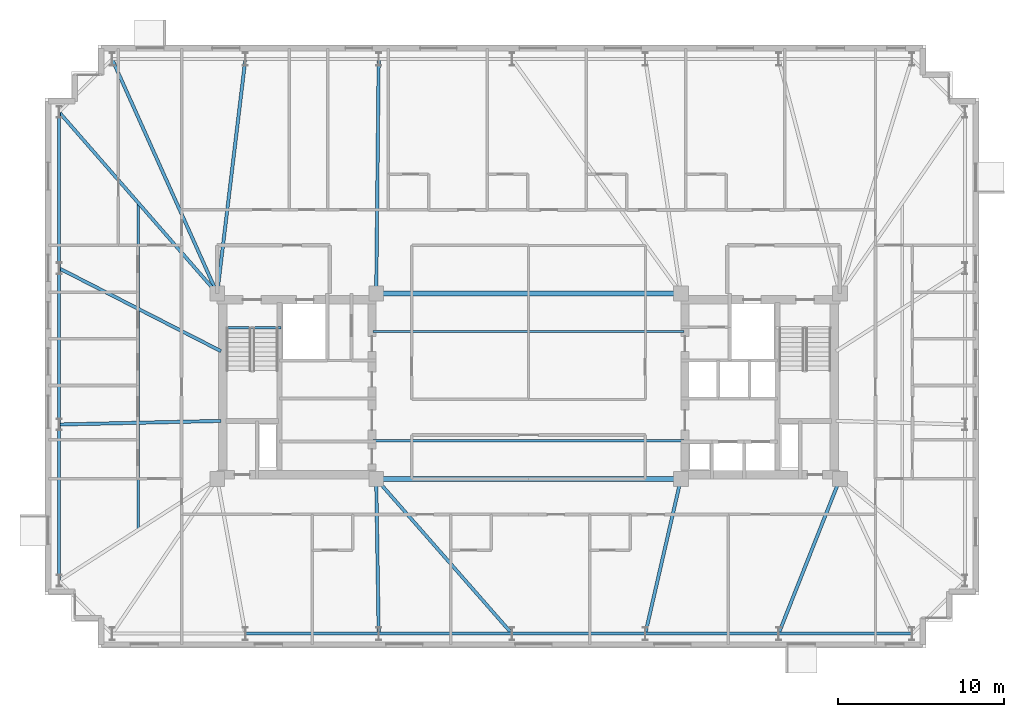
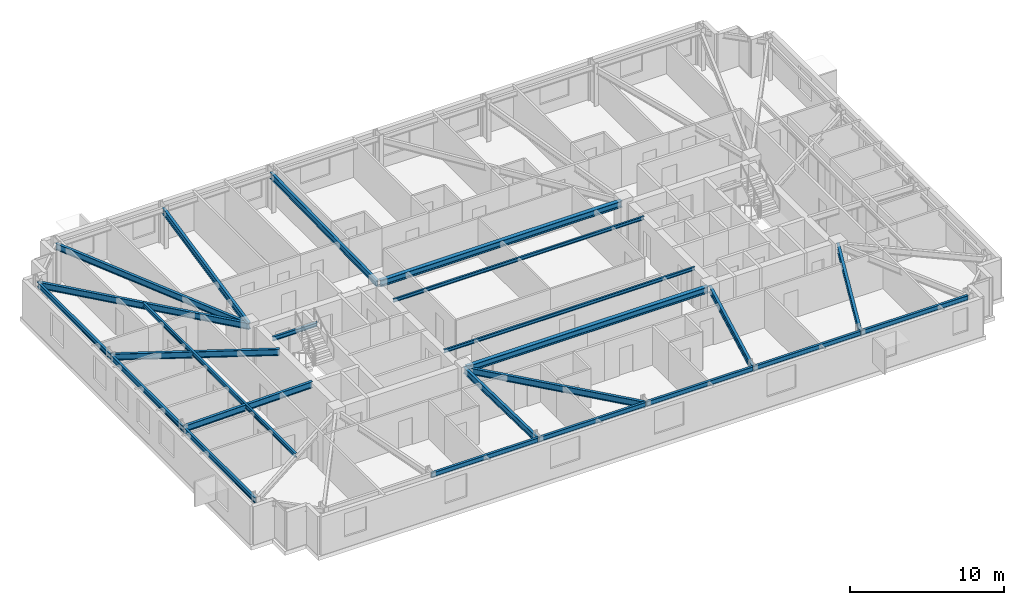
# One storey, part 4 of 18: 24 beams.
"""IFC4 building model written with IfcOpenShell, lengths in metres."""

from ifc_helpers import new_model, si_unit, direction, frame, origin, origin_2d, place, context, subcontext, project, spatial, i_section, extrude, material, material_profile, profile_set, type_object, element, save


model = new_model("IFC4")

# Units and contexts
model_context = context("Model", 3, precision=1e-05, world=origin(), true_north=direction((0.0, 1.0)))
body_context = subcontext(model_context, "Body", "Model", "MODEL_VIEW")
ifc_project = project(units=[si_unit("LENGTHUNIT", "METRE"), si_unit("AREAUNIT", "SQUARE_METRE"), si_unit("VOLUMEUNIT", "CUBIC_METRE"), si_unit("PLANEANGLEUNIT", "RADIAN"), si_unit("MASSUNIT", "GRAM", prefix="KILO")], contexts=[model_context])

# Site, building, storey
site_placement = place(None, origin())
site = spatial("IfcSite", under=ifc_project, at=site_placement, CompositionType="ELEMENT")
building_placement = place(site_placement, origin())
building = spatial("IfcBuilding", under=site, at=building_placement, Name="Qobustan Lattice House", CompositionType="ELEMENT")
storey_placement = place(building_placement, frame((0.0, 0.0, 134.35009765625)))
storey = spatial("IfcBuildingStorey", under=building, at=storey_placement, Name="L37", CompositionType="ELEMENT", Elevation=134.35009765625)

# Beams
ifc_material_1 = material(Name="Steel S355", Category="steel")
ifc_material_profile_1 = material_profile(ifc_material_1, i_section(OverallWidth=0.300048828125, OverallDepth=0.5, WebThickness=0.014404296875, FlangeThickness=0.028076171875, FilletRadius=0.027099609375, at=origin_2d()), Name="HEB500")
ifc_profile_set_1 = profile_set([ifc_material_profile_1], Name="Steel S355")
beam_type_1 = type_object("IfcBeamType", Name="BM-CG-HEB500", PredefinedType="USERDEFINED", material=ifc_profile_set_1)
for number, where, z_axis, x_axis, name in (
    (1, (-9.050048828125, -5.60009765625, 2.789794921875), (1.0, 0.0, 0.0), (0.0, 1.0, 0.0), "L37 core spine girder CG-CS"),
    (2, (-9.050048828125, 5.60009765625, 2.789794921875), (1.0, 0.0, 0.0), (0.0, 1.0, 0.0), "L37 core spine girder CG-CN"),
):
    element("IfcBeam", number, at=place(storey_placement, frame(where, z_axis=z_axis, x_axis=x_axis)), inside=storey, type_object=beam_type_1, Name=name, ObjectType="GIRDER", PredefinedType="USERDEFINED", context=body_context, shape_type="SweptSolid", body=[
        extrude(i_section(OverallWidth=0.300048828125, OverallDepth=0.5, WebThickness=0.014404296875, FlangeThickness=0.028076171875, FilletRadius=0.027099609375, at=origin_2d()), origin(), (0.0, 0.0, 1.0), 18.10009765625),
    ])
ifc_material_2 = material(Name="Steel S355", Category="steel")
ifc_material_profile_2 = material_profile(ifc_material_2, i_section(OverallWidth=0.199951171875, OverallDepth=0.5, WebThickness=0.01025390625, FlangeThickness=0.01611328125, FilletRadius=0.02099609375, at=origin_2d()), Name="IPE500")
ifc_profile_set_2 = profile_set([ifc_material_profile_2], Name="Steel S355")
beam_type_2 = type_object("IfcBeamType", Name="BM-FLG-IPE500", PredefinedType="USERDEFINED", material=ifc_profile_set_2)
beam_1_placement = place(storey_placement, frame((-9.05029296875, -14.925048828125, 2.789794921875), z_axis=(-0.016063870849, 0.999870967702, 0.0), x_axis=(-0.999870967702, -0.016063870849, 0.0)))
element("IfcBeam", 3, at=beam_1_placement, inside=storey, type_object=beam_type_2, Name="L37 primary floor girder RAD-S3", ObjectType="GIRDER", PredefinedType="USERDEFINED", context=body_context, shape_type="SweptSolid", body=[
    extrude(i_section(OverallWidth=0.199951171875, OverallDepth=0.5, WebThickness=0.01025390625, FlangeThickness=0.01611328125, FilletRadius=0.02099609375, at=origin_2d()), origin(), (0.0, 0.0, 1.0), 9.30126953125),
])
beam_2_placement = place(storey_placement, frame((-1.0166015625, -14.93115234375, 2.789794921875), z_axis=(-0.659362380156, 0.751825279992, 0.0), x_axis=(-0.751825279992, -0.659362380156, 0.0)))
element("IfcBeam", 4, at=beam_2_placement, inside=storey, type_object=beam_type_2, Name="L37 primary floor girder RAD-S4", ObjectType="GIRDER", PredefinedType="USERDEFINED", context=body_context, shape_type="SweptSolid", body=[
    extrude(i_section(OverallWidth=0.199951171875, OverallDepth=0.5, WebThickness=0.01025390625, FlangeThickness=0.01611328125, FilletRadius=0.02099609375, at=origin_2d()), origin(), (0.0, 0.0, 1.0), 12.38623046875),
])
beam_3_placement = place(storey_placement, frame((7.0556640625, -14.925537109375, 2.789794921875), z_axis=(0.224091568854, 0.974568093449, 0.0), x_axis=(-0.974568093449, 0.224091568854, 0.0)))
element("IfcBeam", 5, at=beam_3_placement, inside=storey, type_object=beam_type_2, Name="L37 primary floor girder RAD-S5", ObjectType="GIRDER", PredefinedType="USERDEFINED", context=body_context, shape_type="SweptSolid", body=[
    extrude(i_section(OverallWidth=0.199951171875, OverallDepth=0.5, WebThickness=0.01025390625, FlangeThickness=0.01611328125, FilletRadius=0.02099609375, at=origin_2d()), origin(), (0.0, 0.0, 1.0), 9.543701171875),
])
beam_4_placement = place(storey_placement, frame((15.109130859375, -14.9267578125, 2.789794921875), z_axis=(0.367963628184, 0.929840184297, 0.0), x_axis=(-0.929840184297, 0.367963628184, 0.0)))
element("IfcBeam", 6, at=beam_4_placement, inside=storey, type_object=beam_type_2, Name="L37 primary floor girder RAD-S6", ObjectType="GIRDER", PredefinedType="USERDEFINED", context=body_context, shape_type="SweptSolid", body=[
    extrude(i_section(OverallWidth=0.199951171875, OverallDepth=0.5, WebThickness=0.01025390625, FlangeThickness=0.01611328125, FilletRadius=0.02099609375, at=origin_2d()), origin(), (0.0, 0.0, 1.0), 10.00537109375),
])
beam_5_placement = place(storey_placement, frame((-25.139892578125, 19.727294921875, 2.789794921875), z_axis=(0.409426782108, -0.912342978321, 0.0), x_axis=(0.912342978321, 0.409426782108, 0.0)))
element("IfcBeam", 7, at=beam_5_placement, inside=storey, type_object=beam_type_2, Name="L37 primary floor girder RAD-N7W", ObjectType="GIRDER", PredefinedType="USERDEFINED", context=body_context, shape_type="SweptSolid", body=[
    extrude(i_section(OverallWidth=0.199951171875, OverallDepth=0.5, WebThickness=0.01025390625, FlangeThickness=0.01611328125, FilletRadius=0.02099609375, at=origin_2d()), origin(), (0.0, 0.0, 1.0), 15.459716796875),
])
beam_6_placement = place(storey_placement, frame((-17.10302734375, 19.72509765625, 2.789794921875), z_axis=(-0.119287572963, -0.992859745854, 0.0), x_axis=(0.992859745854, -0.119287572963, 0.0)))
element("IfcBeam", 8, at=beam_6_placement, inside=storey, type_object=beam_type_2, Name="L37 primary floor girder RAD-N6", ObjectType="GIRDER", PredefinedType="USERDEFINED", context=body_context, shape_type="SweptSolid", body=[
    extrude(i_section(OverallWidth=0.199951171875, OverallDepth=0.5, WebThickness=0.01025390625, FlangeThickness=0.01611328125, FilletRadius=0.02099609375, at=origin_2d()), origin(), (0.0, 0.0, 1.0), 14.20166015625),
])
beam_7_placement = place(storey_placement, frame((-9.05029296875, 19.72509765625, 2.789794921875), z_axis=(-0.010596073732, -0.999943860035, 0.0), x_axis=(0.999943860035, -0.010596073732, 0.0)))
element("IfcBeam", 9, at=beam_7_placement, inside=storey, type_object=beam_type_2, Name="L37 primary floor girder RAD-N5", ObjectType="GIRDER", PredefinedType="USERDEFINED", context=body_context, shape_type="SweptSolid", body=[
    extrude(i_section(OverallWidth=0.199951171875, OverallDepth=0.5, WebThickness=0.01025390625, FlangeThickness=0.01611328125, FilletRadius=0.02099609375, at=origin_2d()), origin(), (0.0, 0.0, 1.0), 14.100830078125),
])
beam_8_placement = place(storey_placement, frame((-28.33349609375, 16.53125, 2.789794921875), z_axis=(0.657282573618, -0.75364422536, 0.0), x_axis=(0.75364422536, 0.657282573618, 0.0)))
element("IfcBeam", 10, at=beam_8_placement, inside=storey, type_object=beam_type_2, Name="L37 primary floor girder RAD-W1", ObjectType="GIRDER", PredefinedType="USERDEFINED", context=body_context, shape_type="SweptSolid", body=[
    extrude(i_section(OverallWidth=0.199951171875, OverallDepth=0.5, WebThickness=0.01025390625, FlangeThickness=0.01611328125, FilletRadius=0.02099609375, at=origin_2d()), origin(), (0.0, 0.0, 1.0), 14.4794921875),
])
beam_9_placement = place(storey_placement, frame((-28.32763671875, 7.105224609375, 2.789794921875), z_axis=(0.89014541584, -0.455676572426, 0.0), x_axis=(0.455676572426, 0.89014541584, 0.0)))
element("IfcBeam", 11, at=beam_9_placement, inside=storey, type_object=beam_type_2, Name="L37 primary floor girder RAD-W2", ObjectType="GIRDER", PredefinedType="USERDEFINED", context=body_context, shape_type="SweptSolid", body=[
    extrude(i_section(OverallWidth=0.199951171875, OverallDepth=0.5, WebThickness=0.01025390625, FlangeThickness=0.01611328125, FilletRadius=0.02099609375, at=origin_2d()), origin(), (0.0, 0.0, 1.0), 10.959228515625),
])
beam_10_placement = place(storey_placement, frame((-28.324951171875, -2.316162109375, 2.789794921875), z_axis=(0.999755655209, 0.022104974047, 0.0), x_axis=(-0.022104974047, 0.999755655209, 0.0)))
element("IfcBeam", 12, at=beam_10_placement, inside=storey, type_object=beam_type_2, Name="L37 primary floor girder RAD-W3", ObjectType="GIRDER", PredefinedType="USERDEFINED", context=body_context, shape_type="SweptSolid", body=[
    extrude(i_section(OverallWidth=0.199951171875, OverallDepth=0.5, WebThickness=0.01025390625, FlangeThickness=0.01611328125, FilletRadius=0.02099609375, at=origin_2d()), origin(), (0.0, 0.0, 1.0), 9.75244140625),
])
ifc_material_3 = material(Name="Steel S355", Category="steel")
ifc_material_profile_3 = material_profile(ifc_material_3, i_section(OverallWidth=0.135009765625, OverallDepth=0.27001953125, WebThickness=0.006591796875, FlangeThickness=0.01025390625, FilletRadius=0.014892578125, at=origin_2d()), Name="IPE270")
ifc_profile_set_3 = profile_set([ifc_material_profile_3], Name="Steel S355")
beam_type_3 = type_object("IfcBeamType", Name="BM-JST-IPE270", PredefinedType="JOIST", material=ifc_profile_set_3)
for number, where, z_axis, x_axis, name in (
    (13, (-9.39990234375, -3.300048828125, 2.90478515625), (1.0, 0.0, 0.0), (0.0, 1.0, 0.0), "L37 central span floor joist 1"),
    (14, (-9.39990234375, 3.300048828125, 2.90478515625), (1.0, 0.0, 0.0), (0.0, 1.0, 0.0), "L37 central span floor joist 2"),
):
    element("IfcBeam", number, at=place(storey_placement, frame(where, z_axis=z_axis, x_axis=x_axis)), inside=storey, type_object=beam_type_3, Name=name, PredefinedType="JOIST", context=body_context, shape_type="SweptSolid", body=[
        extrude(i_section(OverallWidth=0.135009765625, OverallDepth=0.27001953125, WebThickness=0.006591796875, FlangeThickness=0.01025390625, FilletRadius=0.014892578125, at=origin_2d()), origin(), (0.0, 0.0, 1.0), 18.7998046875),
    ])
ifc_material_4 = material(Name="Steel S355", Category="steel")
ifc_material_profile_4 = material_profile(ifc_material_4, i_section(OverallWidth=0.159912109375, OverallDepth=0.330078125, WebThickness=0.007568359375, FlangeThickness=0.011474609375, FilletRadius=0.01806640625, at=origin_2d()), Name="IPE330")
ifc_profile_set_4 = profile_set([ifc_material_profile_4], Name="Steel S355")
beam_type_4 = type_object("IfcBeamType", Name="BM-SEC-IPE330", PredefinedType="BEAM", material=ifc_profile_set_4)
beam_11_placement = place(storey_placement, frame((-23.574951171875, 11.074951171875, 2.875), z_axis=(0.0, -1.0, 0.0), x_axis=(1.0, 0.0, 0.0)))
element("IfcBeam", 15, at=beam_11_placement, inside=storey, type_object=beam_type_4, Name="L37 west wing secondary beam", PredefinedType="BEAM", context=body_context, shape_type="SweptSolid", body=[
    extrude(i_section(OverallWidth=0.159912109375, OverallDepth=0.330078125, WebThickness=0.007568359375, FlangeThickness=0.011474609375, FilletRadius=0.01806640625, at=origin_2d()), origin(), (0.0, 0.0, 1.0), 19.75),
])
ifc_material_5 = material(Name="Steel S355", Category="steel")
ifc_material_profile_5 = material_profile(ifc_material_5, i_section(OverallWidth=0.159912109375, OverallDepth=0.330078125, WebThickness=0.007568359375, FlangeThickness=0.011474609375, FilletRadius=0.01806640625, at=origin_2d()), Name="IPE330")
ifc_profile_set_5 = profile_set([ifc_material_profile_5], Name="Steel S355")
beam_type_5 = type_object("IfcBeamType", Name="BM-SPD-IPE330", PredefinedType="SPANDREL", material=ifc_profile_set_5)
beam_12_placement = place(storey_placement, frame((-18.300048828125, 3.52001953125, 2.875), z_axis=(1.0, 0.0, 0.0), x_axis=(0.0, 1.0, 0.0)))
element("IfcBeam", 16, at=beam_12_placement, inside=storey, type_object=beam_type_5, Name="L37 west stair landing trimmer beam", PredefinedType="SPANDREL", context=body_context, shape_type="SweptSolid", body=[
    extrude(i_section(OverallWidth=0.159912109375, OverallDepth=0.330078125, WebThickness=0.007568359375, FlangeThickness=0.011474609375, FilletRadius=0.01806640625, at=origin_2d()), origin(), (0.0, 0.0, 1.0), 3.35009765625),
])
ifc_material_6 = material(Name="Steel S355", Category="steel")
ifc_material_profile_6 = material_profile(ifc_material_6, i_section(OverallWidth=0.179931640625, OverallDepth=0.39990234375, WebThickness=0.008544921875, FlangeThickness=0.013427734375, FilletRadius=0.02099609375, at=origin_2d()), Name="IPE400")
ifc_profile_set_6 = profile_set([ifc_material_profile_6], Name="Steel S355")
beam_type_6 = type_object("IfcBeamType", Name="BM-SPD-IPE400", PredefinedType="SPANDREL", material=ifc_profile_set_6)
for number, where, z_axis, x_axis, name in (
    (17, (-17.074951171875, -14.949951171875, 2.83984375), (1.0, 0.0, 0.0), (0.0, 1.0, 0.0), "L37 perimeter spandrel S2-S3"),
    (18, (-9.02490234375, -14.949951171875, 2.83984375), (1.0, 0.0, 0.0), (0.0, 1.0, 0.0), "L37 perimeter spandrel S3-S4"),
    (19, (-0.97509765625, -14.949951171875, 2.83984375), (1.0, 0.0, 0.0), (0.0, 1.0, 0.0), "L37 perimeter spandrel S4-S5"),
    (20, (7.074951171875, -14.949951171875, 2.83984375), (1.0, 0.0, 0.0), (0.0, 1.0, 0.0), "L37 perimeter spandrel S5-S6"),
    (21, (15.125, -14.949951171875, 2.83984375), (1.0, 0.0, 0.0), (0.0, 1.0, 0.0), "L37 perimeter spandrel S6-S7"),
):
    element("IfcBeam", number, at=place(storey_placement, frame(where, z_axis=z_axis, x_axis=x_axis)), inside=storey, type_object=beam_type_6, Name=name, PredefinedType="SPANDREL", context=body_context, shape_type="SweptSolid", body=[
        extrude(i_section(OverallWidth=0.179931640625, OverallDepth=0.39990234375, WebThickness=0.008544921875, FlangeThickness=0.013427734375, FilletRadius=0.02099609375, at=origin_2d()), origin(), (0.0, 0.0, 1.0), 8.0),
    ])
beam_13_placement = place(storey_placement, frame((-28.35009765625, 16.52490234375, 2.83984375), z_axis=(0.0, -1.0, 0.0), x_axis=(1.0, 0.0, 0.0)))
element("IfcBeam", 22, at=beam_13_placement, inside=storey, type_object=beam_type_6, Name="L37 perimeter spandrel W1-W2", PredefinedType="SPANDREL", context=body_context, shape_type="SweptSolid", body=[
    extrude(i_section(OverallWidth=0.179931640625, OverallDepth=0.39990234375, WebThickness=0.008544921875, FlangeThickness=0.013427734375, FilletRadius=0.02099609375, at=origin_2d()), origin(), (0.0, 0.0, 1.0), 9.38330078125),
])
beam_14_placement = place(storey_placement, frame((-28.35009765625, 7.091796875, 2.83984375), z_axis=(0.0, -1.0, 0.0), x_axis=(1.0, 0.0, 0.0)))
element("IfcBeam", 23, at=beam_14_placement, inside=storey, type_object=beam_type_6, Name="L37 perimeter spandrel W2-W3", PredefinedType="SPANDREL", context=body_context, shape_type="SweptSolid", body=[
    extrude(i_section(OverallWidth=0.179931640625, OverallDepth=0.39990234375, WebThickness=0.008544921875, FlangeThickness=0.013427734375, FilletRadius=0.02099609375, at=origin_2d()), origin(), (0.0, 0.0, 1.0), 9.383544921875),
])
beam_15_placement = place(storey_placement, frame((-28.35009765625, -2.341796875, 2.83984375), z_axis=(0.0, -1.0, 0.0), x_axis=(1.0, 0.0, 0.0)))
element("IfcBeam", 24, at=beam_15_placement, inside=storey, type_object=beam_type_6, Name="L37 perimeter spandrel W3-W4", PredefinedType="SPANDREL", context=body_context, shape_type="SweptSolid", body=[
    extrude(i_section(OverallWidth=0.179931640625, OverallDepth=0.39990234375, WebThickness=0.008544921875, FlangeThickness=0.013427734375, FilletRadius=0.02099609375, at=origin_2d()), origin(), (0.0, 0.0, 1.0), 9.38330078125),
])

save(model, "model.ifc")
